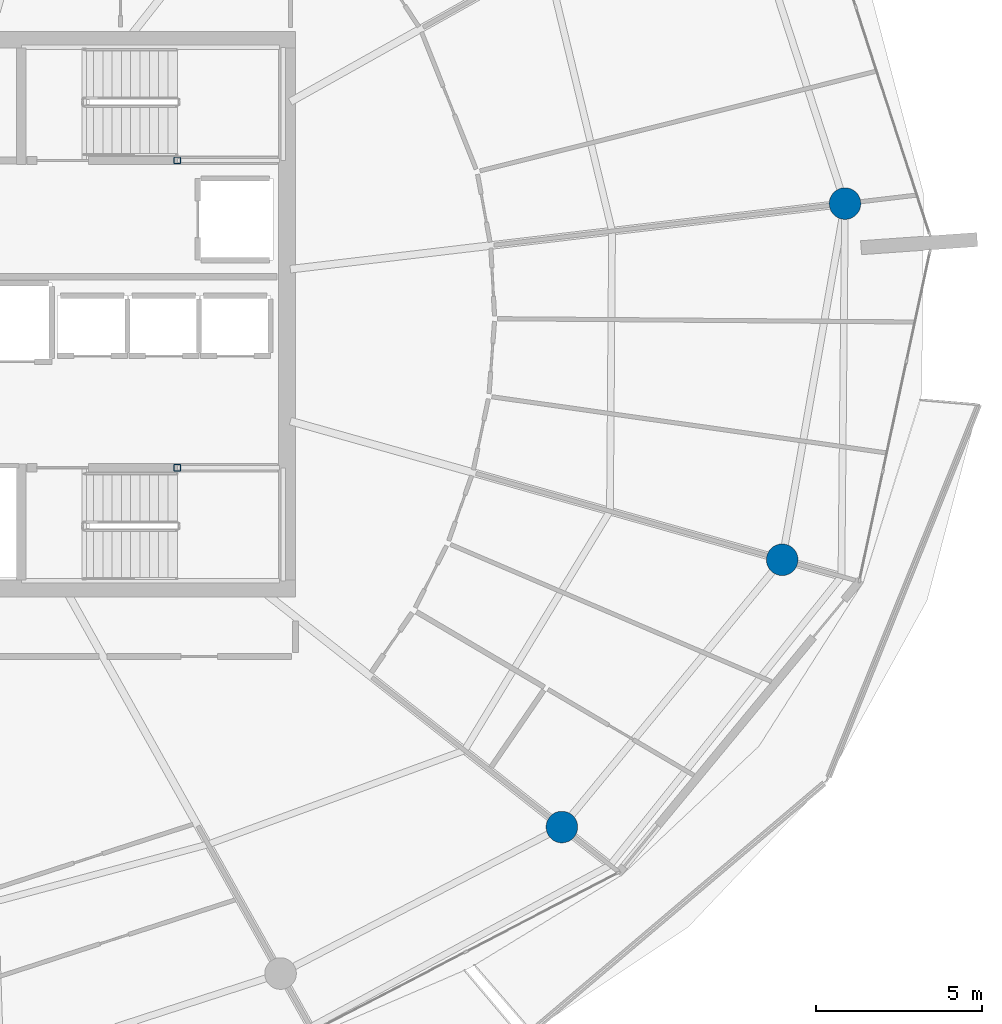
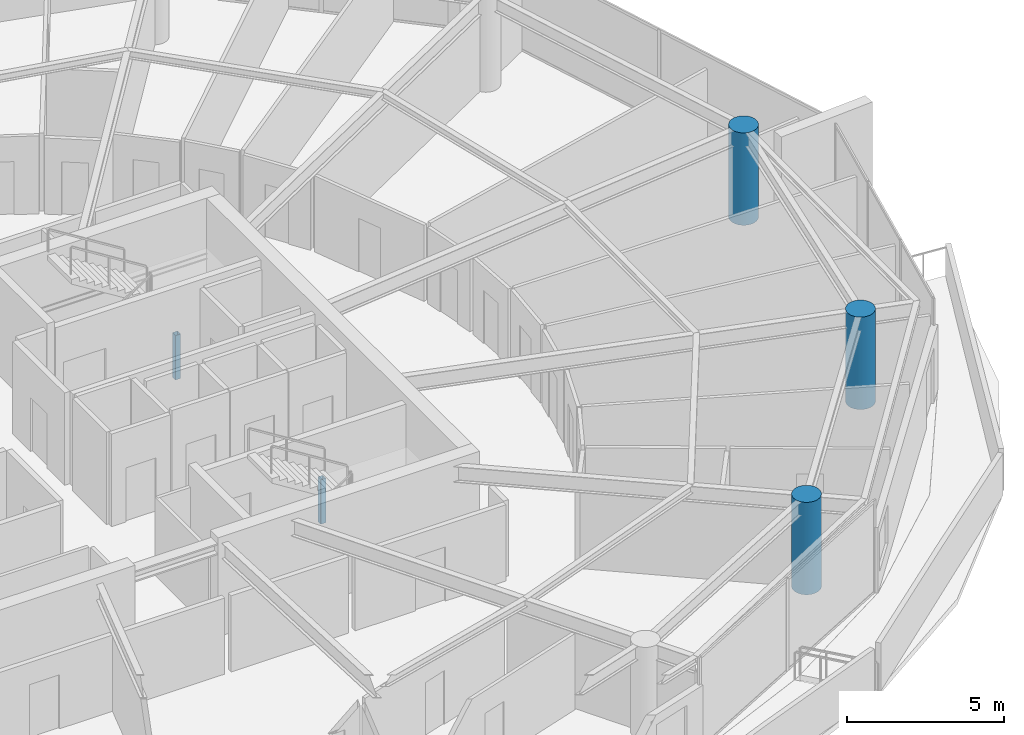
# One storey, part 3 of 29: 5 columns.
"""IFC4 building model written with IfcOpenShell, lengths in metres."""

from ifc_helpers import new_model, si_unit, direction, frame, origin, origin_2d, place, context, subcontext, project, spatial, hollow_rectangle, circle, extrude, material, material_profile, profile_set, type_object, element, save


model = new_model("IFC4")

# Units and contexts
model_context = context("Model", 3, precision=1e-05, world=origin(), true_north=direction((0.0, 1.0)))
body_context = subcontext(model_context, "Body", "Model", "MODEL_VIEW")
ifc_project = project(units=[si_unit("LENGTHUNIT", "METRE"), si_unit("AREAUNIT", "SQUARE_METRE"), si_unit("VOLUMEUNIT", "CUBIC_METRE"), si_unit("PLANEANGLEUNIT", "RADIAN"), si_unit("MASSUNIT", "GRAM", prefix="KILO")], contexts=[model_context])

# Site, building, storey
site_placement = place(None, origin())
site = spatial("IfcSite", under=ifc_project, at=site_placement, CompositionType="ELEMENT")
building_placement = place(site_placement, origin())
building = spatial("IfcBuilding", under=site, at=building_placement, Name="Kazma Halo Residences", CompositionType="ELEMENT")
storey_placement = place(building_placement, frame((0.0, 0.0, 286.75)))
storey = spatial("IfcBuildingStorey", under=building, at=storey_placement, Name="L72", CompositionType="ELEMENT", Elevation=286.75)

# Columns
ifc_material_1 = material(Name="Steel S355", Category="steel")
ifc_material_profile_1 = material_profile(ifc_material_1, hollow_rectangle(XDim=0.199951171875, YDim=0.199951171875, WallThickness=0.010009765625, InnerFilletRadius=0.010009765625, OuterFilletRadius=0.02001953125, at=origin_2d()), Name="SHS200x200x10")
ifc_profile_set_1 = profile_set([ifc_material_profile_1], Name="Steel S355")
column_type_1 = type_object("IfcColumnType", Name="COL-LP-SHS200", PredefinedType="COLUMN", material=ifc_profile_set_1)
for number, where, z_axis, x_axis, name in (
    (1, (56.0, 46.6201171875, 0.0), (0.0, 0.0, 1.0), (1.0, 0.0, 0.0), "L72 ST-02 landing pilaster 1"),
    (2, (56.0, 37.3798828125, 0.0), (0.0, 0.0, 1.0), (1.0, 0.0, 0.0), "L72 ST-03 landing pilaster 1"),
):
    element("IfcColumn", number, at=place(storey_placement, frame(where, z_axis=z_axis, x_axis=x_axis)), inside=storey, type_object=column_type_1, Name=name, PredefinedType="COLUMN", context=body_context, shape_type="SweptSolid", body=[
        extrude(hollow_rectangle(XDim=0.199951171875, YDim=0.199951171875, WallThickness=0.010009765625, InnerFilletRadius=0.010009765625, OuterFilletRadius=0.02001953125, at=origin_2d()), origin(), (0.0, 0.0, 1.0), 1.719970703125),
    ])
ifc_material_2 = material(Name="Concrete C60/75", Category="concrete")
ifc_material_profile_2 = material_profile(ifc_material_2, circle(Radius=0.47509765625, at=origin_2d()), Name="CIRC950")
ifc_profile_set_2 = profile_set([ifc_material_profile_2], Name="Concrete C60/75")
column_type_2 = type_object("IfcColumnType", Name="COL-PERIM-950", PredefinedType="COLUMN", material=ifc_profile_set_2)
for number, where, z_axis, x_axis, name in (
    (3, (67.566162109375, 26.5751953125, 0.0), (0.0, 0.0, 1.0), (1.0, 0.0, 0.0), "L72 perimeter ring column P14"),
    (4, (74.19091796875, 34.61328125, 0.0), (0.0, 0.0, 1.0), (1.0, 0.0, 0.0), "L72 perimeter ring column P15"),
    (5, (76.07958984375, 45.323486328125, 0.0), (0.0, 0.0, 1.0), (1.0, 0.0, 0.0), "L72 perimeter ring column P16"),
):
    element("IfcColumn", number, at=place(storey_placement, frame(where, z_axis=z_axis, x_axis=x_axis)), inside=storey, type_object=column_type_2, Name=name, PredefinedType="COLUMN", context=body_context, shape_type="SweptSolid", body=[
        extrude(circle(Radius=0.47509765625, at=origin_2d()), origin(), (0.0, 0.0, 1.0), 3.590087890625),
    ])

save(model, "model.ifc")
